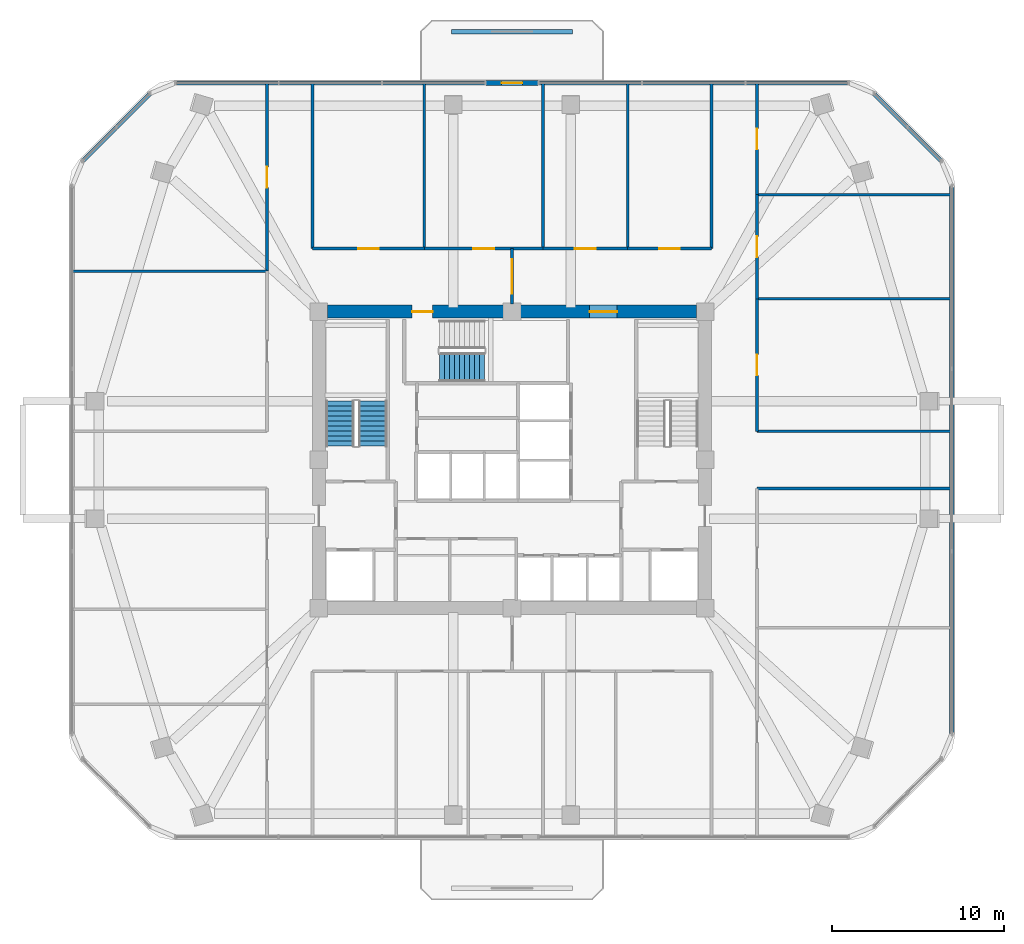
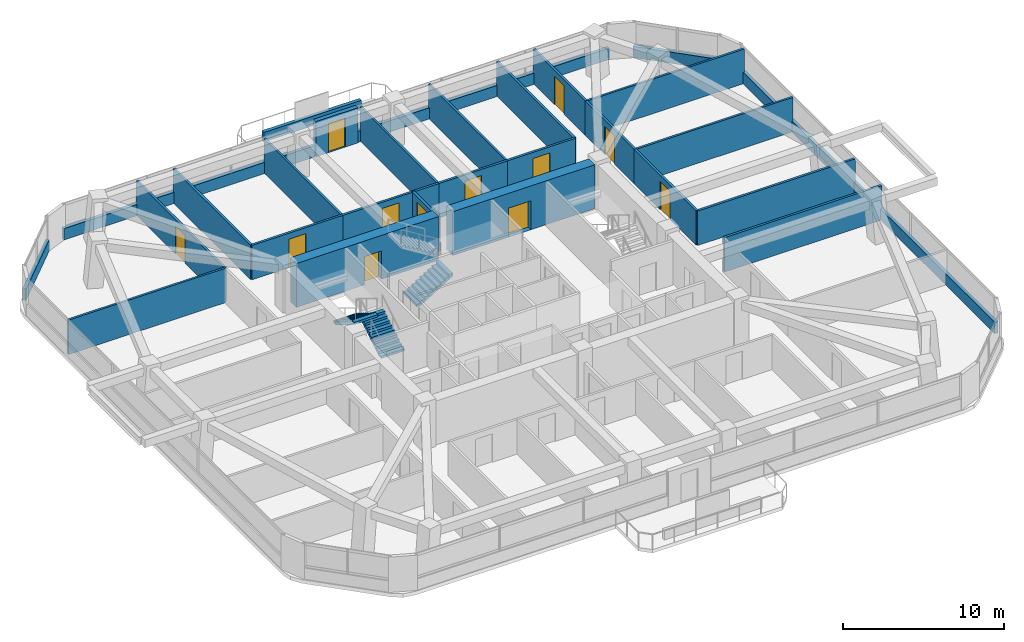
# One storey, part 10 of 13: 28 walls, 12 doors, 3 stair flights, 12 openings, 2 elements without a shape of their own.
"""IFC4 building model written with IfcOpenShell, lengths in metres."""

from ifc_helpers import new_model, si_unit, derived_unit, direction, frame, frame_2d, origin, place, context, subcontext, project, spatial, polyline, rectangle, outline, extrude, material, layer, layer_set, type_object, element, fill, aggregate, save


model = new_model("IFC4")

# Units and contexts
model_context = context("Model", 3, precision=1e-05, world=origin(), true_north=direction((0.0, 1.0)))
body_context = subcontext(model_context, "Body", "Model", "MODEL_VIEW")
ifc_project = project(units=[si_unit("LENGTHUNIT", "METRE"), si_unit("AREAUNIT", "SQUARE_METRE"), si_unit("VOLUMEUNIT", "CUBIC_METRE"), si_unit("PLANEANGLEUNIT", "RADIAN"), si_unit("MASSUNIT", "GRAM", prefix="KILO"), derived_unit("THERMALTRANSMITTANCEUNIT", [(si_unit("POWERUNIT", "WATT"), 1), (si_unit("LENGTHUNIT", "METRE"), -2), (si_unit("THERMODYNAMICTEMPERATUREUNIT", "KELVIN"), -1)])], contexts=[model_context])

# Site, building, storey
site_placement = place(None, origin())
site = spatial("IfcSite", under=ifc_project, at=site_placement, CompositionType="ELEMENT")
building_placement = place(site_placement, origin())
building = spatial("IfcBuilding", under=site, at=building_placement, Name="Koralith Skygarden Medical Center", CompositionType="ELEMENT")
storey_placement = place(building_placement, frame((0.0, 0.0, 102.780029296875)))
storey = spatial("IfcBuildingStorey", under=building, at=storey_placement, Name="L26", CompositionType="ELEMENT", Elevation=102.780029296875)

# Walls
ifc_material_1 = material(Name="Gypsum Board Partition")
ifc_layer_1 = layer(ifc_material_1, 0.14990234375)
ifc_layer_set_1 = layer_set([ifc_layer_1], Name="Gypsum Board Partition")
wall_type_1 = type_object("IfcWallType", Name="Clinical Acoustic Partition 150", PredefinedType="PARTITIONING", material=ifc_layer_set_1)
for number, where, z_axis, x_axis, name in (
    (1, (31.9140625, 38.159912109375, 0.0), (0.0, 0.0, 1.0), (0.0, 1.0, 0.0), "L26 Clinical Acoustic Partition 150 W-PART-L26-N-01"),
    (2, (38.800048828125, 38.159912109375, 0.0), (0.0, 0.0, 1.0), (0.0, 1.0, 0.0), "L26 Clinical Acoustic Partition 150 W-PART-L26-N-02"),
    (3, (43.705078125, 38.159912109375, 0.0), (0.0, 0.0, 1.0), (0.0, 1.0, 0.0), "L26 Clinical Acoustic Partition 150 W-PART-L26-N-03"),
):
    element("IfcWall", number, at=place(storey_placement, frame(where, z_axis=z_axis, x_axis=x_axis)), inside=storey, type_object=wall_type_1, Name=name, PredefinedType="PARTITIONING", context=body_context, shape_type="SweptSolid", body=[
        extrude(rectangle(XDim=9.586181640625, YDim=0.14990234375, at=frame_2d((4.79296875, 0.0))), origin(), (0.0, 0.0, 1.0), 2.60986328125),
    ])
for number, where, z_axis, x_axis, name in (
    (4, (22.7900390625, 36.845947265625, 0.0), (0.0, 0.0, 1.0), (-1.0, 0.0, 0.0), "L26 Clinical Acoustic Partition 150 W-PART-L26-WN-01"),
    (5, (51.2099609375, 35.2470703125, 0.0), (0.0, 0.0, 1.0), (1.0, 0.0, 0.0), "L26 Clinical Acoustic Partition 150 W-PART-L26-EN-01"),
    (6, (51.2099609375, 41.285888671875, 0.0), (0.0, 0.0, 1.0), (1.0, 0.0, 0.0), "L26 Clinical Acoustic Partition 150 W-PART-L26-EN-02"),
):
    element("IfcWall", number, at=place(storey_placement, frame(where, z_axis=z_axis, x_axis=x_axis)), inside=storey, type_object=wall_type_1, Name=name, PredefinedType="PARTITIONING", context=body_context, shape_type="SweptSolid", body=[
        extrude(rectangle(XDim=11.281005859375, YDim=0.14990234375, at=frame_2d((5.640625, 0.0))), origin(), (0.0, 0.0, 1.0), 2.60986328125),
    ])
ifc_layer_2 = layer(ifc_material_1, 0.1650390625)
ifc_layer_set_2 = layer_set([ifc_layer_2], Name="Gypsum Board Partition")
wall_type_2 = type_object("IfcWallType", Name="Clinical Corridor Partition 165", PredefinedType="PARTITIONING", material=ifc_layer_set_2)
for number, where, z_axis, x_axis, name in (
    (7, (25.429931640625, 38.159912109375, 0.0), (0.0, 0.0, 1.0), (0.0, 1.0, 0.0), "L26 Clinical Corridor Partition 165 W-HCOR-L26-NW"),
    (8, (48.570068359375, 38.159912109375, 0.0), (0.0, 0.0, 1.0), (0.0, 1.0, 0.0), "L26 Clinical Corridor Partition 165 W-HCOR-L26-NE"),
):
    element("IfcWall", number, at=place(storey_placement, frame(where, z_axis=z_axis, x_axis=x_axis)), inside=storey, type_object=wall_type_2, Name=name, PredefinedType="PARTITIONING", context=body_context, shape_type="SweptSolid", body=[
        extrude(rectangle(XDim=9.586181640625, YDim=0.1650390625, at=frame_2d((4.79296875, 0.0))), origin(), (0.0, 0.0, 1.0), 2.60986328125),
    ])
for number, where, z_axis, x_axis, name in (
    (9, (51.2099609375, 24.239990234375, 0.0), (0.0, 0.0, 1.0), (1.0, 0.0, 0.0), "L26 Clinical Corridor Partition 165 W-HCOR-L26-EWS-E"),
    (10, (51.2099609375, 27.56005859375, 0.0), (0.0, 0.0, 1.0), (1.0, 0.0, 0.0), "L26 Clinical Corridor Partition 165 W-HCOR-L26-EWN-E"),
):
    element("IfcWall", number, at=place(storey_placement, frame(where, z_axis=z_axis, x_axis=x_axis)), inside=storey, type_object=wall_type_2, Name=name, PredefinedType="PARTITIONING", context=body_context, shape_type="SweptSolid", body=[
        extrude(rectangle(XDim=11.281005859375, YDim=0.1650390625, at=frame_2d((5.640625, 0.0))), origin(), (0.0, 0.0, 1.0), 2.60986328125),
    ])

# Wall, opening, door
wall_1_placement = place(storey_placement, frame((25.429931640625, 38.159912109375, 0.0), z_axis=(0.0, 0.0, 1.0), x_axis=(1.0, 0.0, 0.0)))
wall_1 = element("IfcWall", 11, at=wall_1_placement, inside=storey, type_object=wall_type_2, Name="L26 Clinical Corridor Partition 165 W-CORR-L26-N-01", PredefinedType="PARTITIONING", context=body_context, shape_type="SweptSolid", body=[
    extrude(rectangle(XDim=6.484130859375, YDim=0.1650390625, at=frame_2d((3.2421875, 0.0))), origin(), (0.0, 0.0, 1.0), 2.60986328125),
])
opening_1_placement = place(wall_1_placement, frame((2.64208984375, 0.0, 0.0)))
opening_1 = element("IfcOpeningElement", 12, at=opening_1_placement, cuts=wall_1, Name="Opening D-CLN", PredefinedType="OPENING", context=body_context, shape_type="SweptSolid", body=[
    extrude(rectangle(XDim=1.199951171875, YDim=2.14990234375, at=frame_2d((0.60009765625, 1.074951171875))), frame((0.0, 0.092529296875, 0.0), z_axis=(0.0, -1.0, 0.0), x_axis=(1.0, 0.0, 0.0)), (0.0, 0.0, 1.0), 0.18505859375),
])
ifc_material_2 = material(Name="Aluminium 6063-T6", Category="aluminium")
door_type_1 = type_object("IfcDoorType", Name="Clinical Corridor Door D-CLN 1200", OperationType="NOTDEFINED", PredefinedType="DOOR", material=ifc_material_2)
door_1_placement = place(opening_1_placement, origin())
door_1 = element("IfcDoor", 13, at=door_1_placement, inside=storey, type_object=door_type_1, Name="L26 Palliative Quiet Family Lounge 01 Door", OperationType="SINGLE_SWING_RIGHT", OverallHeight=2.14990234375, OverallWidth=1.199951171875, PredefinedType="DOOR", context=body_context, shape_type="SweptSolid", body=[
    extrude(rectangle(XDim=1.199951171875, YDim=2.14990234375, at=frame_2d((0.60009765625, 1.074951171875))), frame((0.0, 0.02490234375, 0.0), z_axis=(0.0, -1.0, 0.0), x_axis=(1.0, 0.0, 0.0)), (0.0, 0.0, 1.0), 0.050048828125),
])
fill(opening_1, door_1)

wall_2_placement = place(storey_placement, frame((31.9140625, 38.159912109375, 0.0), z_axis=(0.0, 0.0, 1.0), x_axis=(1.0, 0.0, 0.0)))
wall_2 = element("IfcWall", 14, at=wall_2_placement, inside=storey, type_object=wall_type_2, Name="L26 Clinical Corridor Partition 165 W-CORR-L26-N-02", PredefinedType="PARTITIONING", context=body_context, shape_type="SweptSolid", body=[
    extrude(rectangle(XDim=6.885986328125, YDim=0.1650390625, at=frame_2d((3.44287109375, 0.0))), origin(), (0.0, 0.0, 1.0), 2.60986328125),
])
opening_2_placement = place(wall_2_placement, frame((2.843017578125, 0.0, 0.0)))
opening_2 = element("IfcOpeningElement", 15, at=opening_2_placement, cuts=wall_2, Name="Opening D-CLN", PredefinedType="OPENING", context=body_context, shape_type="SweptSolid", body=[
    extrude(rectangle(XDim=1.199951171875, YDim=2.14990234375, at=frame_2d((0.60009765625, 1.074951171875))), frame((0.0, 0.092529296875, 0.0), z_axis=(0.0, -1.0, 0.0), x_axis=(1.0, 0.0, 0.0)), (0.0, 0.0, 1.0), 0.18505859375),
])
door_2_placement = place(opening_2_placement, origin())
door_2 = element("IfcDoor", 16, at=door_2_placement, inside=storey, type_object=door_type_1, Name="L26 Patient and Family Sky-Garden Day Lounge 02 Door", OperationType="SINGLE_SWING_LEFT", OverallHeight=2.14990234375, OverallWidth=1.199951171875, PredefinedType="DOOR", context=body_context, shape_type="SweptSolid", body=[
    extrude(rectangle(XDim=1.199951171875, YDim=2.14990234375, at=frame_2d((0.60009765625, 1.074951171875))), frame((0.0, 0.02490234375, 0.0), z_axis=(0.0, -1.0, 0.0), x_axis=(1.0, 0.0, 0.0)), (0.0, 0.0, 1.0), 0.050048828125),
])
fill(opening_2, door_2)

wall_3_placement = place(storey_placement, frame((38.800048828125, 38.159912109375, 0.0), z_axis=(0.0, 0.0, 1.0), x_axis=(1.0, 0.0, 0.0)))
wall_3 = element("IfcWall", 17, at=wall_3_placement, inside=storey, type_object=wall_type_2, Name="L26 Clinical Corridor Partition 165 W-CORR-L26-N-03", PredefinedType="PARTITIONING", context=body_context, shape_type="SweptSolid", body=[
    extrude(rectangle(XDim=4.905029296875, YDim=0.1650390625, at=frame_2d((2.45263671875, 0.0))), origin(), (0.0, 0.0, 1.0), 2.60986328125),
])
opening_3_placement = place(wall_3_placement, frame((1.85302734375, 0.0, 0.0)))
opening_3 = element("IfcOpeningElement", 18, at=opening_3_placement, cuts=wall_3, Name="Opening D-CLN", PredefinedType="OPENING", context=body_context, shape_type="SweptSolid", body=[
    extrude(rectangle(XDim=1.199951171875, YDim=2.14990234375, at=frame_2d((0.60009765625, 1.074951171875))), frame((0.0, 0.092529296875, 0.0), z_axis=(0.0, -1.0, 0.0), x_axis=(1.0, 0.0, 0.0)), (0.0, 0.0, 1.0), 0.18505859375),
])
door_3_placement = place(opening_3_placement, origin())
door_3 = element("IfcDoor", 19, at=door_3_placement, inside=storey, type_object=door_type_1, Name="L26 Bereavement Sitting Room 03 Door", OperationType="SINGLE_SWING_RIGHT", OverallHeight=2.14990234375, OverallWidth=1.199951171875, PredefinedType="DOOR", context=body_context, shape_type="SweptSolid", body=[
    extrude(rectangle(XDim=1.199951171875, YDim=2.14990234375, at=frame_2d((0.60009765625, 1.074951171875))), frame((0.0, 0.02490234375, 0.0), z_axis=(0.0, -1.0, 0.0), x_axis=(1.0, 0.0, 0.0)), (0.0, 0.0, 1.0), 0.050048828125),
])
fill(opening_3, door_3)

wall_4_placement = place(storey_placement, frame((43.705078125, 38.159912109375, 0.0), z_axis=(0.0, 0.0, 1.0), x_axis=(1.0, 0.0, 0.0)))
wall_4 = element("IfcWall", 20, at=wall_4_placement, inside=storey, type_object=wall_type_2, Name="L26 Clinical Corridor Partition 165 W-CORR-L26-N-04", PredefinedType="PARTITIONING", context=body_context, shape_type="SweptSolid", body=[
    extrude(rectangle(XDim=4.864990234375, YDim=0.1650390625, at=frame_2d((2.4326171875, 0.0))), origin(), (0.0, 0.0, 1.0), 2.60986328125),
])
opening_4_placement = place(wall_4_placement, frame((1.8330078125, 0.0, 0.0)))
opening_4 = element("IfcOpeningElement", 21, at=opening_4_placement, cuts=wall_4, Name="Opening D-CLN", PredefinedType="OPENING", context=body_context, shape_type="SweptSolid", body=[
    extrude(rectangle(XDim=1.199951171875, YDim=2.14990234375, at=frame_2d((0.60009765625, 1.074951171875))), frame((0.0, 0.092529296875, 0.0), z_axis=(0.0, -1.0, 0.0), x_axis=(1.0, 0.0, 0.0)), (0.0, 0.0, 1.0), 0.18505859375),
])
door_4_placement = place(opening_4_placement, origin())
door_4 = element("IfcDoor", 22, at=door_4_placement, inside=storey, type_object=door_type_1, Name="L26 Family Nourishment Pantry 04 Door", OperationType="SINGLE_SWING_LEFT", OverallHeight=2.14990234375, OverallWidth=1.199951171875, PredefinedType="DOOR", context=body_context, shape_type="SweptSolid", body=[
    extrude(rectangle(XDim=1.199951171875, YDim=2.14990234375, at=frame_2d((0.60009765625, 1.074951171875))), frame((0.0, 0.02490234375, 0.0), z_axis=(0.0, -1.0, 0.0), x_axis=(1.0, 0.0, 0.0)), (0.0, 0.0, 1.0), 0.050048828125),
])
fill(opening_4, door_4)

wall_5_placement = place(storey_placement, frame((22.7900390625, 36.845947265625, 0.0), z_axis=(0.0, 0.0, 1.0), x_axis=(0.0, 1.0, 0.0)))
wall_5 = element("IfcWall", 23, at=wall_5_placement, inside=storey, type_object=wall_type_2, Name="L26 Clinical Corridor Partition 165 W-CORR-L26-WN-02", PredefinedType="PARTITIONING", context=body_context, shape_type="SweptSolid", body=[
    extrude(rectangle(XDim=10.900146484375, YDim=0.1650390625, at=frame_2d((5.4501953125, 0.0))), origin(), (0.0, 0.0, 1.0), 2.60986328125),
])
opening_5_placement = place(wall_5_placement, frame((4.85009765625, 0.0, 0.0)))
opening_5 = element("IfcOpeningElement", 24, at=opening_5_placement, cuts=wall_5, Name="Opening D-CLN", PredefinedType="OPENING", context=body_context, shape_type="SweptSolid", body=[
    extrude(rectangle(XDim=1.199951171875, YDim=2.14990234375, at=frame_2d((0.60009765625, 1.074951171875))), frame((0.0, 0.092529296875, 0.0), z_axis=(0.0, -1.0, 0.0), x_axis=(1.0, 0.0, 0.0)), (0.0, 0.0, 1.0), 0.18505859375),
])
door_5_placement = place(opening_5_placement, frame((1.199951171875, 0.0, 0.0), z_axis=(0.0, 0.0, 1.0), x_axis=(-1.0, 0.0, 0.0)))
door_5 = element("IfcDoor", 25, at=door_5_placement, inside=storey, type_object=door_type_1, Name="L26 Pastoral Counseling Office 14 Door", OperationType="SINGLE_SWING_LEFT", OverallHeight=2.14990234375, OverallWidth=1.199951171875, PredefinedType="DOOR", context=body_context, shape_type="SweptSolid", body=[
    extrude(rectangle(XDim=1.199951171875, YDim=2.14990234375, at=frame_2d((0.60009765625, 1.074951171875))), frame((0.0, 0.02490234375, 0.0), z_axis=(0.0, -1.0, 0.0), x_axis=(1.0, 0.0, 0.0)), (0.0, 0.0, 1.0), 0.050048828125),
])
fill(opening_5, door_5)

wall_6_placement = place(storey_placement, frame((51.2099609375, 27.56005859375, 0.0), z_axis=(0.0, 0.0, 1.0), x_axis=(0.0, 1.0, 0.0)))
wall_6 = element("IfcWall", 26, at=wall_6_placement, inside=storey, type_object=wall_type_2, Name="L26 Clinical Corridor Partition 165 W-CORR-L26-EN-01", PredefinedType="PARTITIONING", context=body_context, shape_type="SweptSolid", body=[
    extrude(rectangle(XDim=7.68701171875, YDim=0.1650390625, at=frame_2d((3.843505859375, 0.0))), origin(), (0.0, 0.0, 1.0), 2.60986328125),
])
opening_6_placement = place(wall_6_placement, frame((3.243896484375, 0.0, 0.0)))
opening_6 = element("IfcOpeningElement", 27, at=opening_6_placement, cuts=wall_6, Name="Opening D-CLN", PredefinedType="OPENING", context=body_context, shape_type="SweptSolid", body=[
    extrude(rectangle(XDim=1.199951171875, YDim=2.14990234375, at=frame_2d((0.60009765625, 1.074951171875))), frame((0.0, 0.092529296875, 0.0), z_axis=(0.0, -1.0, 0.0), x_axis=(1.0, 0.0, 0.0)), (0.0, 0.0, 1.0), 0.18505859375),
])
door_6_placement = place(opening_6_placement, origin())
door_6 = element("IfcDoor", 28, at=door_6_placement, inside=storey, type_object=door_type_1, Name="L26 Family Nourishment Pantry 17 Door", OperationType="SINGLE_SWING_RIGHT", OverallHeight=2.14990234375, OverallWidth=1.199951171875, PredefinedType="DOOR", context=body_context, shape_type="SweptSolid", body=[
    extrude(rectangle(XDim=1.199951171875, YDim=2.14990234375, at=frame_2d((0.60009765625, 1.074951171875))), frame((0.0, 0.02490234375, 0.0), z_axis=(0.0, -1.0, 0.0), x_axis=(1.0, 0.0, 0.0)), (0.0, 0.0, 1.0), 0.050048828125),
])
fill(opening_6, door_6)

wall_7_placement = place(storey_placement, frame((51.2099609375, 35.2470703125, 0.0), z_axis=(0.0, 0.0, 1.0), x_axis=(0.0, 1.0, 0.0)))
wall_7 = element("IfcWall", 29, at=wall_7_placement, inside=storey, type_object=wall_type_2, Name="L26 Clinical Corridor Partition 165 W-CORR-L26-EN-02", PredefinedType="PARTITIONING", context=body_context, shape_type="SweptSolid", body=[
    extrude(rectangle(XDim=6.038818359375, YDim=0.1650390625, at=frame_2d((3.01953125, 0.0))), origin(), (0.0, 0.0, 1.0), 2.60986328125),
])
opening_7_placement = place(wall_7_placement, frame((2.419921875, 0.0, 0.0)))
opening_7 = element("IfcOpeningElement", 30, at=opening_7_placement, cuts=wall_7, Name="Opening D-CLN", PredefinedType="OPENING", context=body_context, shape_type="SweptSolid", body=[
    extrude(rectangle(XDim=1.199951171875, YDim=2.14990234375, at=frame_2d((0.60009765625, 1.074951171875))), frame((0.0, 0.092529296875, 0.0), z_axis=(0.0, -1.0, 0.0), x_axis=(1.0, 0.0, 0.0)), (0.0, 0.0, 1.0), 0.18505859375),
])
door_7_placement = place(opening_7_placement, origin())
door_7 = element("IfcDoor", 31, at=door_7_placement, inside=storey, type_object=door_type_1, Name="L26 Pastoral Counseling Office 18 Door", OperationType="SINGLE_SWING_LEFT", OverallHeight=2.14990234375, OverallWidth=1.199951171875, PredefinedType="DOOR", context=body_context, shape_type="SweptSolid", body=[
    extrude(rectangle(XDim=1.199951171875, YDim=2.14990234375, at=frame_2d((0.60009765625, 1.074951171875))), frame((0.0, 0.02490234375, 0.0), z_axis=(0.0, -1.0, 0.0), x_axis=(1.0, 0.0, 0.0)), (0.0, 0.0, 1.0), 0.050048828125),
])
fill(opening_7, door_7)

wall_8_placement = place(storey_placement, frame((51.2099609375, 41.285888671875, 0.0), z_axis=(0.0, 0.0, 1.0), x_axis=(0.0, 1.0, 0.0)))
wall_8 = element("IfcWall", 32, at=wall_8_placement, inside=storey, type_object=wall_type_2, Name="L26 Clinical Corridor Partition 165 W-CORR-L26-EN-03", PredefinedType="PARTITIONING", context=body_context, shape_type="SweptSolid", body=[
    extrude(rectangle(XDim=6.460205078125, YDim=0.1650390625, at=frame_2d((3.22998046875, 0.0))), origin(), (0.0, 0.0, 1.0), 2.60986328125),
])
opening_8_placement = place(wall_8_placement, frame((2.6298828125, 0.0, 0.0)))
opening_8 = element("IfcOpeningElement", 33, at=opening_8_placement, cuts=wall_8, Name="Opening D-CLN", PredefinedType="OPENING", context=body_context, shape_type="SweptSolid", body=[
    extrude(rectangle(XDim=1.199951171875, YDim=2.14990234375, at=frame_2d((0.60009765625, 1.074951171875))), frame((0.0, 0.092529296875, 0.0), z_axis=(0.0, -1.0, 0.0), x_axis=(1.0, 0.0, 0.0)), (0.0, 0.0, 1.0), 0.18505859375),
])
door_8_placement = place(opening_8_placement, origin())
door_8 = element("IfcDoor", 34, at=door_8_placement, inside=storey, type_object=door_type_1, Name="L26 Palliative Quiet Family Lounge 19 Door", OperationType="SINGLE_SWING_RIGHT", OverallHeight=2.14990234375, OverallWidth=1.199951171875, PredefinedType="DOOR", context=body_context, shape_type="SweptSolid", body=[
    extrude(rectangle(XDim=1.199951171875, YDim=2.14990234375, at=frame_2d((0.60009765625, 1.074951171875))), frame((0.0, 0.02490234375, 0.0), z_axis=(0.0, -1.0, 0.0), x_axis=(1.0, 0.0, 0.0)), (0.0, 0.0, 1.0), 0.050048828125),
])
fill(opening_8, door_8)

ifc_layer_3 = layer(ifc_material_1, 0.179931640625)
ifc_layer_set_3 = layer_set([ifc_layer_3], Name="Gypsum Board Partition")
wall_type_3 = type_object("IfcWallType", Name="Group I-2 Smoke Barrier Wall 180", PredefinedType="PARTITIONING", material=ifc_layer_set_3)
wall_9_placement = place(storey_placement, frame((37.0, 34.949951171875, 0.0), z_axis=(0.0, 0.0, 1.0), x_axis=(0.0, 1.0, 0.0)))
wall_9 = element("IfcWall", 35, at=wall_9_placement, inside=storey, type_object=wall_type_3, Name="L26 Group I-2 Smoke Barrier Wall 180 W-SMK-L26-N", PredefinedType="PARTITIONING", context=body_context, shape_type="SweptSolid", body=[
    extrude(rectangle(XDim=3.2099609375, YDim=0.179931640625, at=frame_2d((1.60498046875, 0.0))), origin(), (0.0, 0.0, 1.0), 2.60986328125),
])
opening_9_placement = place(wall_9_placement, frame((0.60498046875, 0.0, 0.0)))
opening_9 = element("IfcOpeningElement", 36, at=opening_9_placement, cuts=wall_9, Name="Opening D-SMK", PredefinedType="OPENING", context=body_context, shape_type="SweptSolid", body=[
    extrude(rectangle(XDim=2.0, YDim=2.199951171875, at=frame_2d((1.0, 1.10009765625))), frame((0.0, 0.099853515625, 0.0), z_axis=(0.0, -1.0, 0.0), x_axis=(1.0, 0.0, 0.0)), (0.0, 0.0, 1.0), 0.199951171875),
])
ifc_material_3 = material(Name="Steel ASTM A500 Grade C", Category="steel")
door_type_2 = type_object("IfcDoorType", Name="Cross-Corridor Double Smoke Door FD60S 2000", OperationType="NOTDEFINED", PredefinedType="DOOR", material=ifc_material_3)
door_9_placement = place(opening_9_placement, origin())
door_9 = element("IfcDoor", 37, at=door_9_placement, inside=storey, type_object=door_type_2, Name="L26 N Smoke Compartment Cross-Corridor Door", OperationType="DOUBLE_DOOR_SINGLE_SWING", OverallHeight=2.199951171875, OverallWidth=2.0, PredefinedType="DOOR", context=body_context, shape_type="SweptSolid", body=[
    extrude(rectangle(XDim=2.0, YDim=2.199951171875, at=frame_2d((1.0, 1.10009765625))), frame((0.0, 0.02490234375, 0.0), z_axis=(0.0, -1.0, 0.0), x_axis=(1.0, 0.0, 0.0)), (0.0, 0.0, 1.0), 0.050048828125),
])
fill(opening_9, door_9)

# Walls
ifc_material_4 = material(Name="Warm Oolitic Limestone Cladding", Category="masonry")
ifc_layer_4 = layer(ifc_material_4, 0.239990234375)
ifc_layer_set_4 = layer_set([ifc_layer_4], Name="Warm Oolitic Limestone Cladding")
wall_type_4 = type_object("IfcWallType", Name="Limestone Spandrel Sill Backup Wall 240", PredefinedType="SOLIDWALL", material=ifc_layer_set_4)
wall_10_placement = place(storey_placement, frame((62.510986328125, 10.009033203125, 0.0), z_axis=(0.0, 0.0, 1.0), x_axis=(0.0, 1.0, 0.0)))
element("IfcWall", 38, at=wall_10_placement, inside=storey, type_object=wall_type_4, Name="L26 Sill Spandrel E", PredefinedType="SOLIDWALL", context=body_context, shape_type="SweptSolid", body=[
    extrude(rectangle(XDim=31.781982421875, YDim=0.239990234375, at=frame_2d((15.89111328125, 0.0))), origin(), (0.0, 0.0, 1.0), 0.849853515625),
])
wall_11_placement = place(storey_placement, frame((61.909912109375, 43.241943359375, 0.0), z_axis=(0.0, 0.0, 1.0), x_axis=(-0.707084777957, 0.707128783731, 0.0)))
element("IfcWall", 39, at=wall_11_placement, inside=storey, type_object=wall_type_4, Name="L26 Sill Spandrel NE", PredefinedType="SOLIDWALL", context=body_context, shape_type="SweptSolid", body=[
    extrude(rectangle(XDim=5.5478515625, YDim=0.239990234375, at=frame_2d((2.77392578125, 0.0))), origin(), (0.0, 0.0, 1.0), 0.849853515625),
])
wall_12_placement = place(storey_placement, frame((56.535888671875, 47.76611328125, 0.0), z_axis=(0.0, 0.0, 1.0), x_axis=(-1.0, 0.0, 0.0)))
element("IfcWall", 40, at=wall_12_placement, inside=storey, type_object=wall_type_4, Name="L26 Sill Spandrel N-L", PredefinedType="SOLIDWALL", context=body_context, shape_type="SweptSolid", body=[
    extrude(rectangle(XDim=17.994873046875, YDim=0.239990234375, at=frame_2d((8.99755859375, 0.0))), origin(), (0.0, 0.0, 1.0), 0.849853515625),
])
wall_13_placement = place(storey_placement, frame((35.4609375, 47.76611328125, 0.0), z_axis=(0.0, 0.0, 1.0), x_axis=(-1.0, 0.0, 0.0)))
element("IfcWall", 41, at=wall_13_placement, inside=storey, type_object=wall_type_4, Name="L26 Sill Spandrel N-R", PredefinedType="SOLIDWALL", context=body_context, shape_type="SweptSolid", body=[
    extrude(rectangle(XDim=17.996826171875, YDim=0.239990234375, at=frame_2d((8.99853515625, 0.0))), origin(), (0.0, 0.0, 1.0), 0.849853515625),
])
wall_14_placement = place(storey_placement, frame((16.012939453125, 47.1650390625, 0.0), z_axis=(0.0, 0.0, 1.0), x_axis=(-0.707084777957, -0.707128783731, 0.0)))
element("IfcWall", 42, at=wall_14_placement, inside=storey, type_object=wall_type_4, Name="L26 Sill Spandrel NW", PredefinedType="SOLIDWALL", context=body_context, shape_type="SweptSolid", body=[
    extrude(rectangle(XDim=5.5478515625, YDim=0.239990234375, at=frame_2d((2.77392578125, 0.0))), origin(), (0.0, 0.0, 1.0), 0.849853515625),
])

# Wall, opening, door
ifc_material_5 = material(Name="Concrete C70/85", Category="concrete")
ifc_layer_5 = layer(ifc_material_5, 0.75)
ifc_layer_set_5 = layer_set([ifc_layer_5], Name="Concrete C70/85")
wall_type_5 = type_object("IfcWallType", Name="Mid Core Shear Wall 750", PredefinedType="SHEAR", material=ifc_layer_set_5)
wall_15_placement = place(storey_placement, frame((47.695068359375, 34.5, 0.0), z_axis=(0.0, 0.0, 1.0), x_axis=(-1.0, 0.0, 0.0)))
wall_15 = element("IfcWall", 43, at=wall_15_placement, inside=storey, type_object=wall_type_5, Name="L26 Core Shear Wall Segment 5", PredefinedType="SHEAR", context=body_context, shape_type="SweptSolid", body=[
    extrude(rectangle(XDim=10.190185546875, YDim=0.75, at=frame_2d((5.09521484375, 0.0))), origin(), (0.0, 0.0, 1.0), 3.320068359375),
])
opening_10_placement = place(wall_15_placement, frame((4.594970703125, 0.0, 0.0)))
opening_10 = element("IfcOpeningElement", 44, at=opening_10_placement, cuts=wall_15, Name="Opening D-DBL", PredefinedType="OPENING", context=body_context, shape_type="SweptSolid", body=[
    extrude(rectangle(XDim=1.60009765625, YDim=2.199951171875, at=frame_2d((0.800048828125, 1.10009765625))), frame((0.0, 0.385009765625, 0.0), z_axis=(0.0, -1.0, 0.0), x_axis=(1.0, 0.0, 0.0)), (0.0, 0.0, 1.0), 0.77001953125),
])
door_type_3 = type_object("IfcDoorType", Name="Double Clinical Suite Door D-DBL 1600", OperationType="NOTDEFINED", PredefinedType="DOOR", material=ifc_material_2)
door_10_placement = place(opening_10_placement, frame((1.60009765625, 0.0, 0.0), z_axis=(0.0, 0.0, 1.0), x_axis=(-1.0, 0.0, 0.0)))
door_10 = element("IfcDoor", 45, at=door_10_placement, inside=storey, type_object=door_type_3, Name="L26 North-East Corridor to Elevator Lobby Door", OperationType="DOUBLE_DOOR_SINGLE_SWING", OverallHeight=2.199951171875, OverallWidth=1.60009765625, PredefinedType="DOOR", context=body_context, shape_type="SweptSolid", body=[
    extrude(rectangle(XDim=1.60009765625, YDim=2.199951171875, at=frame_2d((0.800048828125, 1.10009765625))), frame((0.0, 0.02490234375, 0.0), z_axis=(0.0, -1.0, 0.0), x_axis=(1.0, 0.0, 0.0)), (0.0, 0.0, 1.0), 0.050048828125),
])
fill(opening_10, door_10)

wall_16_placement = place(storey_placement, frame((36.4951171875, 34.5, 0.0), z_axis=(0.0, 0.0, 1.0), x_axis=(-1.0, 0.0, 0.0)))
wall_16 = element("IfcWall", 46, at=wall_16_placement, inside=storey, type_object=wall_type_5, Name="L26 Core Shear Wall Segment 6", PredefinedType="SHEAR", context=body_context, shape_type="SweptSolid", body=[
    extrude(rectangle(XDim=10.190185546875, YDim=0.75, at=frame_2d((5.09521484375, 0.0))), origin(), (0.0, 0.0, 1.0), 3.320068359375),
])
opening_11_placement = place(wall_16_placement, frame((4.094970703125, 0.0, 0.0)))
opening_11 = element("IfcOpeningElement", 47, at=opening_11_placement, cuts=wall_16, Name="Opening D-ST60", PredefinedType="OPENING", context=body_context, shape_type="SweptSolid", body=[
    extrude(rectangle(XDim=1.199951171875, YDim=2.14990234375, at=frame_2d((0.60009765625, 1.074951171875))), frame((0.0, 0.385009765625, 0.0), z_axis=(0.0, -1.0, 0.0), x_axis=(1.0, 0.0, 0.0)), (0.0, 0.0, 1.0), 0.77001953125),
])
door_type_4 = type_object("IfcDoorType", Name="Smokeproof Stair Fire Door FD60S 1200", OperationType="NOTDEFINED", PredefinedType="DOOR", material=ifc_material_3)
door_11_placement = place(opening_11_placement, frame((1.199951171875, 0.0, 0.0), z_axis=(0.0, 0.0, 1.0), x_axis=(-1.0, 0.0, 0.0)))
door_11 = element("IfcDoor", 48, at=door_11_placement, inside=storey, type_object=door_type_4, Name="L26 Exit Stair ST3 Fire Door", OperationType="SINGLE_SWING_LEFT", OverallHeight=2.14990234375, OverallWidth=1.199951171875, PredefinedType="DOOR", context=body_context, shape_type="SweptSolid", body=[
    extrude(rectangle(XDim=1.199951171875, YDim=2.14990234375, at=frame_2d((0.60009765625, 1.074951171875))), frame((0.0, 0.02490234375, 0.0), z_axis=(0.0, -1.0, 0.0), x_axis=(1.0, 0.0, 0.0)), (0.0, 0.0, 1.0), 0.050048828125),
])
fill(opening_11, door_11)

ifc_layer_6 = layer(ifc_material_4, 0.300048828125)
ifc_layer_set_6 = layer_set([ifc_layer_6], Name="Warm Oolitic Limestone Cladding")
wall_type_6 = type_object("IfcWallType", Name="Oolitic Limestone Insulated Facade Wall 300", PredefinedType="SOLIDWALL", material=ifc_layer_set_6)
wall_17_placement = place(storey_placement, frame((38.5009765625, 47.76611328125, 0.0), z_axis=(0.0, 0.0, 1.0), x_axis=(-1.0, 0.0, 0.0)))
wall_17 = element("IfcWall", 49, at=wall_17_placement, inside=storey, type_object=wall_type_6, Name="L26 Terrace Portal Wall N", PredefinedType="SOLIDWALL", context=body_context, shape_type="SweptSolid", body=[
    extrude(rectangle(XDim=3.0, YDim=0.300048828125, at=frame_2d((1.5, 0.0))), origin(), (0.0, 0.0, 1.0), 2.669921875),
])
opening_12_placement = place(wall_17_placement, frame((0.89990234375, 0.0, 0.0)))
opening_12 = element("IfcOpeningElement", 50, at=opening_12_placement, cuts=wall_17, Name="Opening D-BAL", PredefinedType="OPENING", context=body_context, shape_type="SweptSolid", body=[
    extrude(rectangle(XDim=1.199951171875, YDim=2.199951171875, at=frame_2d((0.60009765625, 1.10009765625))), frame((0.0, 0.159912109375, 0.0), z_axis=(0.0, -1.0, 0.0), x_axis=(1.0, 0.0, 0.0)), (0.0, 0.0, 1.0), 0.320068359375),
])
door_type_5 = type_object("IfcDoorType", Name="Planted Balcony Glazed Terrace Door D-BAL 1200", OperationType="NOTDEFINED", PredefinedType="DOOR", material=ifc_material_2)
door_12_placement = place(opening_12_placement, origin())
door_12 = element("IfcDoor", 51, at=door_12_placement, inside=storey, type_object=door_type_5, Name="L26 N Outdoor Terrace Access Door", OperationType="SINGLE_SWING_LEFT", OverallHeight=2.199951171875, OverallWidth=1.199951171875, PredefinedType="DOOR", context=body_context, shape_type="SweptSolid", body=[
    extrude(rectangle(XDim=1.199951171875, YDim=2.199951171875, at=frame_2d((0.60009765625, 1.10009765625))), frame((0.0, 0.02490234375, 0.0), z_axis=(0.0, -1.0, 0.0), x_axis=(1.0, 0.0, 0.0)), (0.0, 0.0, 1.0), 0.050048828125),
])
fill(opening_12, door_12)

# Wall
ifc_material_6 = material(Name="Precast concrete C40/50", Category="concrete")
ifc_layer_7 = layer(ifc_material_6, 0.25)
ifc_layer_set_7 = layer_set([ifc_layer_7], Name="Precast concrete C40/50")
wall_type_7 = type_object("IfcWallType", Name="Structural Concrete Balcony Planter Kerb 250", PredefinedType="PARAPET", material=ifc_layer_set_7)
wall_18_placement = place(storey_placement, frame((33.5, 50.74609375, 0.0), z_axis=(0.0, 0.0, 1.0), x_axis=(1.0, 0.0, 0.0)))
element("IfcWall", 52, at=wall_18_placement, inside=storey, type_object=wall_type_7, Name="L26 N Structural Tree PLANTER Box", PredefinedType="PARAPET", context=body_context, shape_type="SweptSolid", body=[
    extrude(rectangle(XDim=7.0, YDim=0.25, at=frame_2d((3.5, 0.0))), origin(), (0.0, 0.0, 1.0), 0.719970703125),
])

# Stair, stair flights
ifc_material_7 = material(Name="Concrete C45/55", Category="concrete")
stair_type = type_object("IfcStairType", Name="Core Exit Dogleg Concrete Stair", PredefinedType="HALF_TURN_STAIR", material=ifc_material_7)
stair_1_placement = place(storey_placement, origin())
stair_1 = element("IfcStair", 53, at=stair_1_placement, inside=storey, type_object=stair_type, Name="L26 Smokeproof Exit Stair ST1", PredefinedType="HALF_TURN_STAIR")
stair_flight_type = type_object("IfcStairFlightType", Name="Core Exit Concrete Stair Flight 1650", PredefinedType="STRAIGHT", material=ifc_material_7)
stair_flight_1_placement = place(storey_placement, frame((28.925048828125, 26.699951171875, 0.0), z_axis=(0.0, 0.0, 1.0), x_axis=(0.0, 1.0, 0.0)))
stair_flight_1 = element("IfcStairFlight", 54, at=stair_flight_1_placement, type_object=stair_flight_type, Name="ST1 flight 1", NumberOfRisers=10, NumberOfTreads=9, PredefinedType="STRAIGHT", RiserHeight=0.18, TreadLength=0.29, context=body_context, shape_type="SweptSolid", body=[
    extrude(outline(polyline([(0.0, 0.0), (0.0, 0.179931640625), (0.2900390625, 0.179931640625), (0.2900390625, 0.360107421875), (0.580078125, 0.360107421875), (0.580078125, 0.5400390625), (0.8701171875, 0.5400390625), (0.8701171875, 0.719970703125), (1.159912109375, 0.719970703125), (1.159912109375, 0.89990234375), (1.449951171875, 0.89990234375), (1.449951171875, 1.080078125), (1.739990234375, 1.080078125), (1.739990234375, 1.260009765625), (2.030029296875, 1.260009765625), (2.030029296875, 1.43994140625), (2.320068359375, 1.43994140625), (2.320068359375, 1.6201171875), (2.610107421875, 1.6201171875), (2.610107421875, 1.800048828125), (2.610107421875, 1.443603515625), (0.2841796875, 0.0), (0.0, 0.0)])), frame((0.0, 0.824951171875, 0.0), z_axis=(0.0, -1.0, 0.0), x_axis=(1.0, 0.0, 0.0)), (0.0, 0.0, 1.0), 1.64990234375),
])
stair_flight_2_placement = place(storey_placement, frame((27.02490234375, 29.31005859375, 1.800048828125), z_axis=(0.0, 0.0, 1.0), x_axis=(0.0, -1.0, 0.0)))
stair_flight_2 = element("IfcStairFlight", 55, at=stair_flight_2_placement, type_object=stair_flight_type, Name="ST1 flight 2", NumberOfRisers=10, NumberOfTreads=9, PredefinedType="STRAIGHT", RiserHeight=0.18, TreadLength=0.29, context=body_context, shape_type="SweptSolid", body=[
    extrude(outline(polyline([(0.0, 0.0), (0.0, 0.179931640625), (0.2900390625, 0.179931640625), (0.2900390625, 0.360107421875), (0.580078125, 0.360107421875), (0.580078125, 0.5400390625), (0.8701171875, 0.5400390625), (0.8701171875, 0.719970703125), (1.159912109375, 0.719970703125), (1.159912109375, 0.89990234375), (1.449951171875, 0.89990234375), (1.449951171875, 1.080078125), (1.739990234375, 1.080078125), (1.739990234375, 1.260009765625), (2.030029296875, 1.260009765625), (2.030029296875, 1.43994140625), (2.320068359375, 1.43994140625), (2.320068359375, 1.6201171875), (2.610107421875, 1.6201171875), (2.610107421875, 1.800048828125), (2.610107421875, 1.443603515625), (0.2841796875, 0.0), (0.0, 0.0)])), frame((0.0, 0.824951171875, 0.0), z_axis=(0.0, -1.0, 0.0), x_axis=(1.0, 0.0, 0.0)), (0.0, 0.0, 1.0), 1.64990234375),
])
aggregate(stair_1, [stair_flight_1, stair_flight_2])

# Stair, stair flight
stair_2_placement = place(storey_placement, origin())
stair_2 = element("IfcStair", 56, at=stair_2_placement, inside=storey, type_object=stair_type, Name="L26 Smokeproof Exit Stair ST3", PredefinedType="HALF_TURN_STAIR")
stair_flight_3_placement = place(storey_placement, frame((32.800048828125, 31.27490234375, 0.0), z_axis=(0.0, 0.0, 1.0), x_axis=(1.0, 0.0, 0.0)))
stair_flight_3 = element("IfcStairFlight", 57, at=stair_flight_3_placement, type_object=stair_flight_type, Name="ST3 flight 1", NumberOfRisers=10, NumberOfTreads=9, PredefinedType="STRAIGHT", RiserHeight=0.18, TreadLength=0.29, context=body_context, shape_type="SweptSolid", body=[
    extrude(outline(polyline([(0.0, 0.0), (0.0, 0.179931640625), (0.2900390625, 0.179931640625), (0.2900390625, 0.360107421875), (0.580078125, 0.360107421875), (0.580078125, 0.5400390625), (0.8701171875, 0.5400390625), (0.8701171875, 0.719970703125), (1.159912109375, 0.719970703125), (1.159912109375, 0.89990234375), (1.449951171875, 0.89990234375), (1.449951171875, 1.080078125), (1.739990234375, 1.080078125), (1.739990234375, 1.260009765625), (2.030029296875, 1.260009765625), (2.030029296875, 1.43994140625), (2.320068359375, 1.43994140625), (2.320068359375, 1.6201171875), (2.610107421875, 1.6201171875), (2.610107421875, 1.800048828125), (2.610107421875, 1.443603515625), (0.2841796875, 0.0), (0.0, 0.0)])), frame((0.0, 0.824951171875, 0.0), z_axis=(0.0, -1.0, 0.0), x_axis=(1.0, 0.0, 0.0)), (0.0, 0.0, 1.0), 1.64990234375),
])
aggregate(stair_2, [stair_flight_3])

save(model, "model.ifc")
